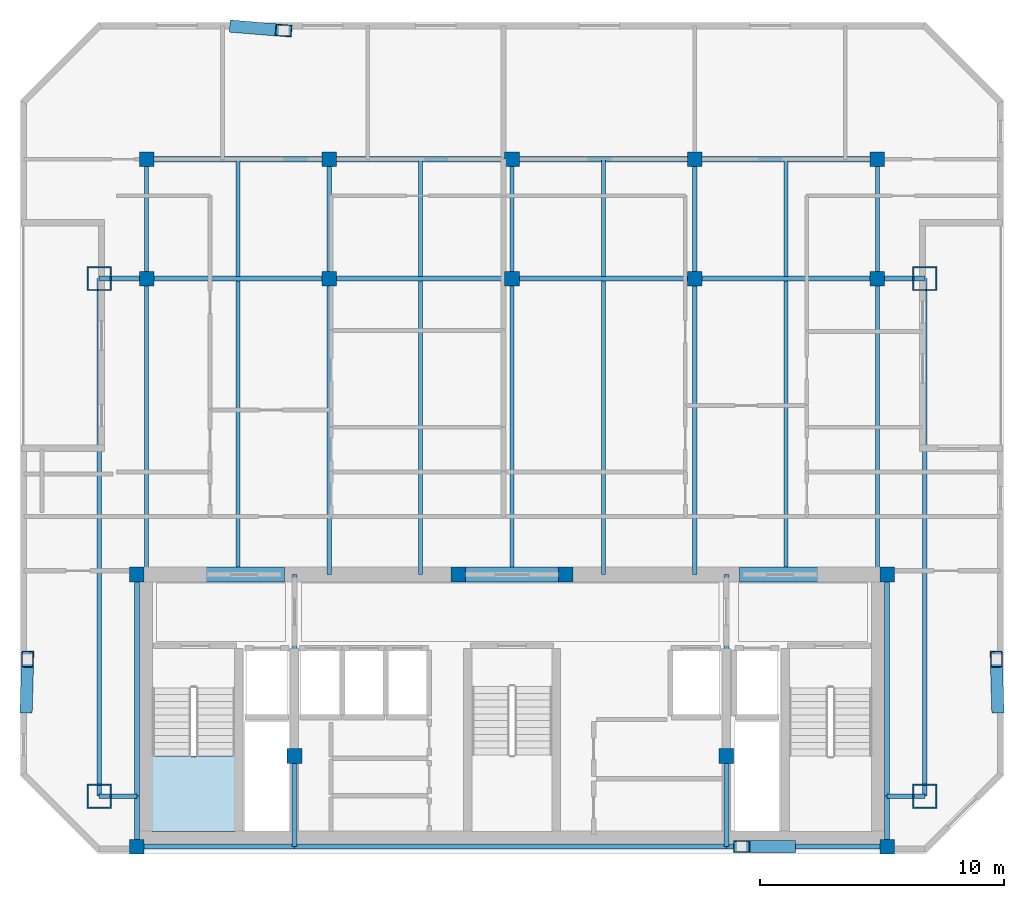
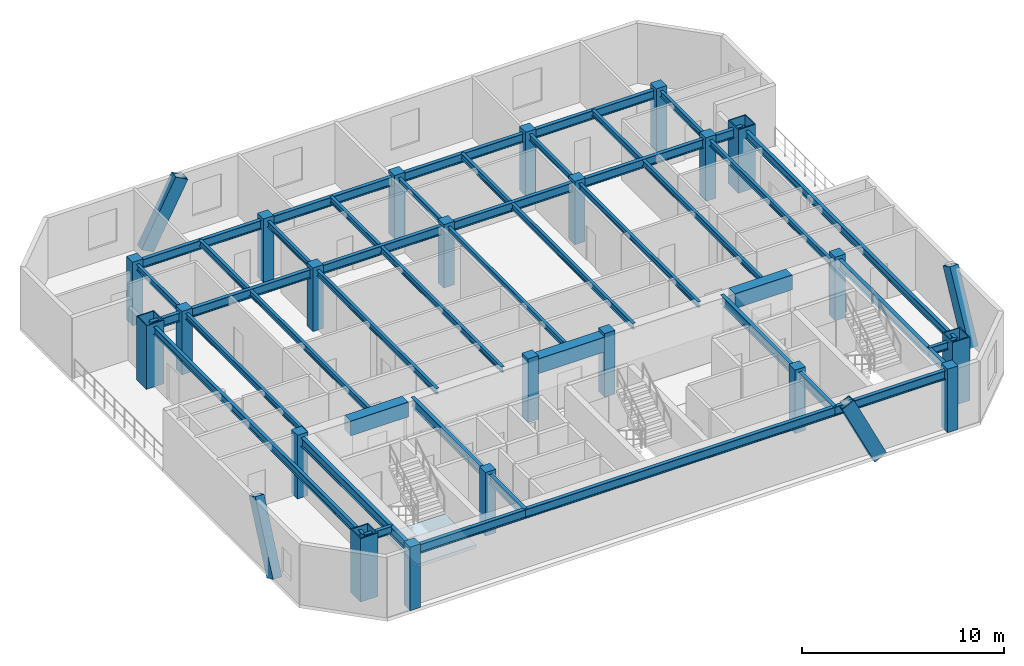
# One storey, part 1 of 7: 46 beams, 22 columns, 4 members, 1 slab, 1 element without a shape of its own.
"""IFC4 building model written with IfcOpenShell, lengths in metres."""

from ifc_helpers import new_model, si_unit, direction, frame, origin, origin_2d, place, context, subcontext, project, spatial, polyline, rectangle, hollow_rectangle, i_section, outline, extrude, material, layer, layer_set, material_profile, profile_set, type_object, element, aggregate, save


model = new_model("IFC4")

# Units and contexts
model_context = context("Model", 3, precision=1e-05, world=origin(), true_north=direction((0.0, 1.0)))
body_context = subcontext(model_context, "Body", "Model", "MODEL_VIEW")
ifc_project = project(units=[si_unit("LENGTHUNIT", "METRE"), si_unit("AREAUNIT", "SQUARE_METRE"), si_unit("VOLUMEUNIT", "CUBIC_METRE"), si_unit("PLANEANGLEUNIT", "RADIAN"), si_unit("MASSUNIT", "GRAM", prefix="KILO")], contexts=[model_context])

# Site, building, storey
site_placement = place(None, origin())
site = spatial("IfcSite", under=ifc_project, at=site_placement, CompositionType="ELEMENT")
building_placement = place(site_placement, origin())
building = spatial("IfcBuilding", under=site, at=building_placement, Name="Ventersveld Concourse Tower", CompositionType="ELEMENT")
storey_placement = place(building_placement, frame((0.0, 0.0, 292.60009765625)))
storey = spatial("IfcBuildingStorey", under=building, at=storey_placement, Name="L72", CompositionType="ELEMENT", Elevation=292.60009765625)

# Columns
ifc_material_1 = material(Name="Concrete C50/60", Category="concrete")
ifc_material_profile_1 = material_profile(ifc_material_1, rectangle(XDim=0.60009765625, YDim=0.60009765625, at=origin_2d()), Name="RC 600x600")
ifc_profile_set_1 = profile_set([ifc_material_profile_1], Name="Concrete C50/60")
column_type_1 = type_object("IfcColumnType", Name="COL-RC600", PredefinedType="COLUMN", material=ifc_profile_set_1)
for number, where, z_axis, x_axis, name in (
    (1, (13.35009765625, 0.280029296875, 0.0), (0.0, 0.0, 1.0), (1.0, 0.0, 0.0), "L72 Core Spine Column CC-SW"),
    (2, (44.14990234375, 0.280029296875, 0.0), (0.0, 0.0, 1.0), (1.0, 0.0, 0.0), "L72 Core Spine Column CC-SE"),
    (3, (13.35009765625, 11.449951171875, 0.0), (0.0, 0.0, 1.0), (1.0, 0.0, 0.0), "L72 Core Spine Column CC-NW"),
    (4, (44.14990234375, 11.449951171875, 0.0), (0.0, 0.0, 1.0), (1.0, 0.0, 0.0), "L72 Core Spine Column CC-NE"),
    (5, (19.820068359375, 4.0, 0.0), (0.0, 0.0, 1.0), (1.0, 0.0, 0.0), "L72 Core Spine Column CM-1"),
    (6, (37.550048828125, 4.0, 0.0), (0.0, 0.0, 1.0), (1.0, 0.0, 0.0), "L72 Core Spine Column CM-2"),
    (7, (26.550048828125, 11.449951171875, 0.0), (0.0, 0.0, 1.0), (1.0, 0.0, 0.0), "L72 Core Spine Column CM-3"),
    (8, (30.949951171875, 11.449951171875, 0.0), (0.0, 0.0, 1.0), (1.0, 0.0, 0.0), "L72 Core Spine Column CM-4"),
    (9, (13.75, 23.60009765625, 0.0), (0.0, 0.0, 1.0), (1.0, 0.0, 0.0), "L72 Interior Gravity Column X=13.75 Y=23.60"),
    (10, (21.25, 23.60009765625, 0.0), (0.0, 0.0, 1.0), (1.0, 0.0, 0.0), "L72 Interior Gravity Column X=21.25 Y=23.60"),
    (11, (28.75, 23.60009765625, 0.0), (0.0, 0.0, 1.0), (1.0, 0.0, 0.0), "L72 Interior Gravity Column X=28.75 Y=23.60"),
    (12, (36.25, 23.60009765625, 0.0), (0.0, 0.0, 1.0), (1.0, 0.0, 0.0), "L72 Interior Gravity Column X=36.25 Y=23.60"),
    (13, (43.75, 23.60009765625, 0.0), (0.0, 0.0, 1.0), (1.0, 0.0, 0.0), "L72 Interior Gravity Column X=43.75 Y=23.60"),
    (14, (13.75, 28.5, 0.0), (0.0, 0.0, 1.0), (1.0, 0.0, 0.0), "L72 Upper-North Gravity Column X=13.75 Y=28.50"),
    (15, (21.25, 28.5, 0.0), (0.0, 0.0, 1.0), (1.0, 0.0, 0.0), "L72 Upper-North Gravity Column X=21.25 Y=28.50"),
    (16, (28.75, 28.5, 0.0), (0.0, 0.0, 1.0), (1.0, 0.0, 0.0), "L72 Upper-North Gravity Column X=28.75 Y=28.50"),
    (17, (36.25, 28.5, 0.0), (0.0, 0.0, 1.0), (1.0, 0.0, 0.0), "L72 Upper-North Gravity Column X=36.25 Y=28.50"),
    (18, (43.75, 28.5, 0.0), (0.0, 0.0, 1.0), (1.0, 0.0, 0.0), "L72 Upper-North Gravity Column X=43.75 Y=28.50"),
):
    element("IfcColumn", number, at=place(storey_placement, frame(where, z_axis=z_axis, x_axis=x_axis)), inside=storey, type_object=column_type_1, Name=name, PredefinedType="COLUMN", context=body_context, shape_type="SweptSolid", body=[
        extrude(rectangle(XDim=0.60009765625, YDim=0.60009765625, at=origin_2d()), origin(), (0.0, 0.0, 1.0), 3.849853515625),
    ])
ifc_material_2 = material(Name="Structural steel S460ML", Category="steel")
ifc_material_profile_2 = material_profile(ifc_material_2, hollow_rectangle(XDim=1.0, YDim=1.0, WallThickness=0.06005859375, at=origin_2d()), Name="BOX 1000x1000x60")
ifc_profile_set_2 = profile_set([ifc_material_profile_2], Name="Structural steel S460ML")
column_type_2 = type_object("IfcColumnType", Name="MC-1000", PredefinedType="USERDEFINED", material=ifc_profile_set_2)
for number, where, z_axis, x_axis, name in (
    (19, (11.800048828125, 2.35009765625, 0.0), (0.0, 0.0, 1.0), (1.0, 0.0, 0.0), "L72 Corner Mega-Column MC-SW"),
    (20, (45.699951171875, 2.35009765625, 0.0), (0.0, 0.0, 1.0), (1.0, 0.0, 0.0), "L72 Corner Mega-Column MC-SE"),
    (21, (45.699951171875, 23.60009765625, 0.0), (0.0, 0.0, 1.0), (1.0, 0.0, 0.0), "L72 Corner Mega-Column MC-NE"),
    (22, (11.800048828125, 23.60009765625, 0.0), (0.0, 0.0, 1.0), (1.0, 0.0, 0.0), "L72 Corner Mega-Column MC-NW"),
):
    element("IfcColumn", number, at=place(storey_placement, frame(where, z_axis=z_axis, x_axis=x_axis)), inside=storey, type_object=column_type_2, Name=name, ObjectType="MEGA_COLUMN", PredefinedType="USERDEFINED", context=body_context, shape_type="SweptSolid", body=[
        extrude(hollow_rectangle(XDim=1.0, YDim=1.0, WallThickness=0.06005859375, at=origin_2d()), origin(), (0.0, 0.0, 1.0), 3.849853515625),
    ])

# Beams
ifc_material_3 = material(Name="Structural steel S355J2", Category="steel")
ifc_material_profile_3 = material_profile(ifc_material_3, i_section(OverallWidth=0.17138671875, OverallDepth=0.35498046875, WebThickness=0.00732421875, FlangeThickness=0.011474609375, FilletRadius=0.01025390625, at=origin_2d()), Name="UB 356x171x51")
ifc_profile_set_3 = profile_set([ifc_material_profile_3], Name="Structural steel S355J2")
beam_type_1 = type_object("IfcBeamType", Name="BM-UB356", PredefinedType="BEAM", material=ifc_profile_set_3)
beam_1_placement = place(storey_placement, frame((13.75, 11.449951171875, 3.472412109375), z_axis=(0.0, 1.0, 0.0), x_axis=(-1.0, 0.0, 0.0)))
element("IfcBeam", 23, at=beam_1_placement, inside=storey, type_object=beam_type_1, Name="L72 N-S Composite Floor Beam South X=13.75", PredefinedType="BEAM", context=body_context, shape_type="SweptSolid", body=[
    extrude(i_section(OverallWidth=0.17138671875, OverallDepth=0.35498046875, WebThickness=0.00732421875, FlangeThickness=0.011474609375, FilletRadius=0.01025390625, at=origin_2d()), origin(), (0.0, 0.0, 1.0), 12.150146484375),
])
beam_2_placement = place(storey_placement, frame((13.75, 23.60009765625, 3.472412109375), z_axis=(0.0, 1.0, 0.0), x_axis=(-1.0, 0.0, 0.0)))
element("IfcBeam", 24, at=beam_2_placement, inside=storey, type_object=beam_type_1, Name="L72 N-S Upper-Zone Floor Beam X=13.75", PredefinedType="BEAM", context=body_context, shape_type="SweptSolid", body=[
    extrude(i_section(OverallWidth=0.17138671875, OverallDepth=0.35498046875, WebThickness=0.00732421875, FlangeThickness=0.011474609375, FilletRadius=0.01025390625, at=origin_2d()), origin(), (0.0, 0.0, 1.0), 4.89990234375),
])
beam_3_placement = place(storey_placement, frame((17.5, 11.449951171875, 3.472412109375), z_axis=(0.0, 1.0, 0.0), x_axis=(-1.0, 0.0, 0.0)))
element("IfcBeam", 25, at=beam_3_placement, inside=storey, type_object=beam_type_1, Name="L72 N-S Composite Floor Beam South X=17.50", PredefinedType="BEAM", context=body_context, shape_type="SweptSolid", body=[
    extrude(i_section(OverallWidth=0.17138671875, OverallDepth=0.35498046875, WebThickness=0.00732421875, FlangeThickness=0.011474609375, FilletRadius=0.01025390625, at=origin_2d()), origin(), (0.0, 0.0, 1.0), 12.054931640625),
])
beam_4_placement = place(storey_placement, frame((17.5, 23.695068359375, 3.472412109375), z_axis=(0.0, 1.0, 0.0), x_axis=(-1.0, 0.0, 0.0)))
element("IfcBeam", 26, at=beam_4_placement, inside=storey, type_object=beam_type_1, Name="L72 N-S Upper-Zone Floor Beam X=17.50", PredefinedType="BEAM", context=body_context, shape_type="SweptSolid", body=[
    extrude(i_section(OverallWidth=0.17138671875, OverallDepth=0.35498046875, WebThickness=0.00732421875, FlangeThickness=0.011474609375, FilletRadius=0.01025390625, at=origin_2d()), origin(), (0.0, 0.0, 1.0), 4.804931640625),
])
beam_5_placement = place(storey_placement, frame((21.25, 11.449951171875, 3.472412109375), z_axis=(0.0, 1.0, 0.0), x_axis=(-1.0, 0.0, 0.0)))
element("IfcBeam", 27, at=beam_5_placement, inside=storey, type_object=beam_type_1, Name="L72 N-S Composite Floor Beam South X=21.25", PredefinedType="BEAM", context=body_context, shape_type="SweptSolid", body=[
    extrude(i_section(OverallWidth=0.17138671875, OverallDepth=0.35498046875, WebThickness=0.00732421875, FlangeThickness=0.011474609375, FilletRadius=0.01025390625, at=origin_2d()), origin(), (0.0, 0.0, 1.0), 12.150146484375),
])
beam_6_placement = place(storey_placement, frame((21.25, 23.60009765625, 3.472412109375), z_axis=(0.0, 1.0, 0.0), x_axis=(-1.0, 0.0, 0.0)))
element("IfcBeam", 28, at=beam_6_placement, inside=storey, type_object=beam_type_1, Name="L72 N-S Upper-Zone Floor Beam X=21.25", PredefinedType="BEAM", context=body_context, shape_type="SweptSolid", body=[
    extrude(i_section(OverallWidth=0.17138671875, OverallDepth=0.35498046875, WebThickness=0.00732421875, FlangeThickness=0.011474609375, FilletRadius=0.01025390625, at=origin_2d()), origin(), (0.0, 0.0, 1.0), 4.89990234375),
])
beam_7_placement = place(storey_placement, frame((25.0, 11.449951171875, 3.472412109375), z_axis=(0.0, 1.0, 0.0), x_axis=(-1.0, 0.0, 0.0)))
element("IfcBeam", 29, at=beam_7_placement, inside=storey, type_object=beam_type_1, Name="L72 N-S Composite Floor Beam South X=25.00", PredefinedType="BEAM", context=body_context, shape_type="SweptSolid", body=[
    extrude(i_section(OverallWidth=0.17138671875, OverallDepth=0.35498046875, WebThickness=0.00732421875, FlangeThickness=0.011474609375, FilletRadius=0.01025390625, at=origin_2d()), origin(), (0.0, 0.0, 1.0), 12.054931640625),
])
beam_8_placement = place(storey_placement, frame((25.0, 23.695068359375, 3.472412109375), z_axis=(0.0, 1.0, 0.0), x_axis=(-1.0, 0.0, 0.0)))
element("IfcBeam", 30, at=beam_8_placement, inside=storey, type_object=beam_type_1, Name="L72 N-S Upper-Zone Floor Beam X=25.00", PredefinedType="BEAM", context=body_context, shape_type="SweptSolid", body=[
    extrude(i_section(OverallWidth=0.17138671875, OverallDepth=0.35498046875, WebThickness=0.00732421875, FlangeThickness=0.011474609375, FilletRadius=0.01025390625, at=origin_2d()), origin(), (0.0, 0.0, 1.0), 4.804931640625),
])
beam_9_placement = place(storey_placement, frame((28.75, 11.449951171875, 3.472412109375), z_axis=(0.0, 1.0, 0.0), x_axis=(-1.0, 0.0, 0.0)))
element("IfcBeam", 31, at=beam_9_placement, inside=storey, type_object=beam_type_1, Name="L72 N-S Composite Floor Beam South X=28.75", PredefinedType="BEAM", context=body_context, shape_type="SweptSolid", body=[
    extrude(i_section(OverallWidth=0.17138671875, OverallDepth=0.35498046875, WebThickness=0.00732421875, FlangeThickness=0.011474609375, FilletRadius=0.01025390625, at=origin_2d()), origin(), (0.0, 0.0, 1.0), 12.150146484375),
])
beam_10_placement = place(storey_placement, frame((28.75, 23.60009765625, 3.472412109375), z_axis=(0.0, 1.0, 0.0), x_axis=(-1.0, 0.0, 0.0)))
element("IfcBeam", 32, at=beam_10_placement, inside=storey, type_object=beam_type_1, Name="L72 N-S Upper-Zone Floor Beam X=28.75", PredefinedType="BEAM", context=body_context, shape_type="SweptSolid", body=[
    extrude(i_section(OverallWidth=0.17138671875, OverallDepth=0.35498046875, WebThickness=0.00732421875, FlangeThickness=0.011474609375, FilletRadius=0.01025390625, at=origin_2d()), origin(), (0.0, 0.0, 1.0), 4.89990234375),
])
beam_11_placement = place(storey_placement, frame((32.5, 11.449951171875, 3.472412109375), z_axis=(0.0, 1.0, 0.0), x_axis=(-1.0, 0.0, 0.0)))
element("IfcBeam", 33, at=beam_11_placement, inside=storey, type_object=beam_type_1, Name="L72 N-S Composite Floor Beam South X=32.50", PredefinedType="BEAM", context=body_context, shape_type="SweptSolid", body=[
    extrude(i_section(OverallWidth=0.17138671875, OverallDepth=0.35498046875, WebThickness=0.00732421875, FlangeThickness=0.011474609375, FilletRadius=0.01025390625, at=origin_2d()), origin(), (0.0, 0.0, 1.0), 12.054931640625),
])
beam_12_placement = place(storey_placement, frame((32.5, 23.695068359375, 3.472412109375), z_axis=(0.0, 1.0, 0.0), x_axis=(-1.0, 0.0, 0.0)))
element("IfcBeam", 34, at=beam_12_placement, inside=storey, type_object=beam_type_1, Name="L72 N-S Upper-Zone Floor Beam X=32.50", PredefinedType="BEAM", context=body_context, shape_type="SweptSolid", body=[
    extrude(i_section(OverallWidth=0.17138671875, OverallDepth=0.35498046875, WebThickness=0.00732421875, FlangeThickness=0.011474609375, FilletRadius=0.01025390625, at=origin_2d()), origin(), (0.0, 0.0, 1.0), 4.804931640625),
])
beam_13_placement = place(storey_placement, frame((36.25, 11.449951171875, 3.472412109375), z_axis=(0.0, 1.0, 0.0), x_axis=(-1.0, 0.0, 0.0)))
element("IfcBeam", 35, at=beam_13_placement, inside=storey, type_object=beam_type_1, Name="L72 N-S Composite Floor Beam South X=36.25", PredefinedType="BEAM", context=body_context, shape_type="SweptSolid", body=[
    extrude(i_section(OverallWidth=0.17138671875, OverallDepth=0.35498046875, WebThickness=0.00732421875, FlangeThickness=0.011474609375, FilletRadius=0.01025390625, at=origin_2d()), origin(), (0.0, 0.0, 1.0), 12.150146484375),
])
beam_14_placement = place(storey_placement, frame((36.25, 23.60009765625, 3.472412109375), z_axis=(0.0, 1.0, 0.0), x_axis=(-1.0, 0.0, 0.0)))
element("IfcBeam", 36, at=beam_14_placement, inside=storey, type_object=beam_type_1, Name="L72 N-S Upper-Zone Floor Beam X=36.25", PredefinedType="BEAM", context=body_context, shape_type="SweptSolid", body=[
    extrude(i_section(OverallWidth=0.17138671875, OverallDepth=0.35498046875, WebThickness=0.00732421875, FlangeThickness=0.011474609375, FilletRadius=0.01025390625, at=origin_2d()), origin(), (0.0, 0.0, 1.0), 4.89990234375),
])
beam_15_placement = place(storey_placement, frame((40.0, 11.449951171875, 3.472412109375), z_axis=(0.0, 1.0, 0.0), x_axis=(-1.0, 0.0, 0.0)))
element("IfcBeam", 37, at=beam_15_placement, inside=storey, type_object=beam_type_1, Name="L72 N-S Composite Floor Beam South X=40.00", PredefinedType="BEAM", context=body_context, shape_type="SweptSolid", body=[
    extrude(i_section(OverallWidth=0.17138671875, OverallDepth=0.35498046875, WebThickness=0.00732421875, FlangeThickness=0.011474609375, FilletRadius=0.01025390625, at=origin_2d()), origin(), (0.0, 0.0, 1.0), 12.054931640625),
])
beam_16_placement = place(storey_placement, frame((40.0, 23.695068359375, 3.472412109375), z_axis=(0.0, 1.0, 0.0), x_axis=(-1.0, 0.0, 0.0)))
element("IfcBeam", 38, at=beam_16_placement, inside=storey, type_object=beam_type_1, Name="L72 N-S Upper-Zone Floor Beam X=40.00", PredefinedType="BEAM", context=body_context, shape_type="SweptSolid", body=[
    extrude(i_section(OverallWidth=0.17138671875, OverallDepth=0.35498046875, WebThickness=0.00732421875, FlangeThickness=0.011474609375, FilletRadius=0.01025390625, at=origin_2d()), origin(), (0.0, 0.0, 1.0), 4.804931640625),
])
beam_17_placement = place(storey_placement, frame((43.75, 11.449951171875, 3.472412109375), z_axis=(0.0, 1.0, 0.0), x_axis=(-1.0, 0.0, 0.0)))
element("IfcBeam", 39, at=beam_17_placement, inside=storey, type_object=beam_type_1, Name="L72 N-S Composite Floor Beam South X=43.75", PredefinedType="BEAM", context=body_context, shape_type="SweptSolid", body=[
    extrude(i_section(OverallWidth=0.17138671875, OverallDepth=0.35498046875, WebThickness=0.00732421875, FlangeThickness=0.011474609375, FilletRadius=0.01025390625, at=origin_2d()), origin(), (0.0, 0.0, 1.0), 12.150146484375),
])
beam_18_placement = place(storey_placement, frame((43.75, 23.60009765625, 3.472412109375), z_axis=(0.0, 1.0, 0.0), x_axis=(-1.0, 0.0, 0.0)))
element("IfcBeam", 40, at=beam_18_placement, inside=storey, type_object=beam_type_1, Name="L72 N-S Upper-Zone Floor Beam X=43.75", PredefinedType="BEAM", context=body_context, shape_type="SweptSolid", body=[
    extrude(i_section(OverallWidth=0.17138671875, OverallDepth=0.35498046875, WebThickness=0.00732421875, FlangeThickness=0.011474609375, FilletRadius=0.01025390625, at=origin_2d()), origin(), (0.0, 0.0, 1.0), 4.89990234375),
])
ifc_material_profile_4 = material_profile(ifc_material_1, rectangle(XDim=0.60009765625, YDim=0.89990234375, at=origin_2d()), Name="RC 600x900")
ifc_profile_set_4 = profile_set([ifc_material_profile_4], Name="Concrete C50/60")
beam_type_2 = type_object("IfcBeamType", Name="CB-RC600x900U", PredefinedType="LINTEL", material=ifc_profile_set_4)
beam_19_placement = place(storey_placement, frame((16.10009765625, 11.449951171875, 3.199951171875), z_axis=(1.0, 0.0, 0.0), x_axis=(0.0, 1.0, 0.0)))
element("IfcBeam", 41, at=beam_19_placement, inside=storey, type_object=beam_type_2, Name="L72 Core Coupling Lintel Beam 1", PredefinedType="LINTEL", context=body_context, shape_type="SweptSolid", body=[
    extrude(rectangle(XDim=0.60009765625, YDim=0.89990234375, at=origin_2d()), origin(), (0.0, 0.0, 1.0), 3.2998046875),
])
beam_20_placement = place(storey_placement, frame((26.5, 11.449951171875, 3.199951171875), z_axis=(1.0, 0.0, 0.0), x_axis=(0.0, 1.0, 0.0)))
element("IfcBeam", 42, at=beam_20_placement, inside=storey, type_object=beam_type_2, Name="L72 Core Coupling Lintel Beam 2", PredefinedType="LINTEL", context=body_context, shape_type="SweptSolid", body=[
    extrude(rectangle(XDim=0.60009765625, YDim=0.89990234375, at=origin_2d()), origin(), (0.0, 0.0, 1.0), 4.5),
])
beam_21_placement = place(storey_placement, frame((38.10009765625, 11.449951171875, 3.199951171875), z_axis=(1.0, 0.0, 0.0), x_axis=(0.0, 1.0, 0.0)))
element("IfcBeam", 43, at=beam_21_placement, inside=storey, type_object=beam_type_2, Name="L72 Core Coupling Lintel Beam 3", PredefinedType="LINTEL", context=body_context, shape_type="SweptSolid", body=[
    extrude(rectangle(XDim=0.60009765625, YDim=0.89990234375, at=origin_2d()), origin(), (0.0, 0.0, 1.0), 3.2998046875),
])
ifc_material_profile_5 = material_profile(ifc_material_3, i_section(OverallWidth=0.209228515625, OverallDepth=0.533203125, WebThickness=0.010009765625, FlangeThickness=0.015625, FilletRadius=0.0126953125, at=origin_2d()), Name="UB 533x210x92")
ifc_profile_set_5 = profile_set([ifc_material_profile_5], Name="Structural steel S355J2")
beam_type_3 = type_object("IfcBeamType", Name="GRD-UB533", PredefinedType="T_BEAM", material=ifc_profile_set_5)
beam_22_placement = place(storey_placement, frame((11.800048828125, 23.60009765625, 3.38330078125), z_axis=(1.0, 0.0, 0.0), x_axis=(0.0, 1.0, 0.0)))
element("IfcBeam", 44, at=beam_22_placement, inside=storey, type_object=beam_type_3, Name="L72 Primary E-W Grid Girder Y=23.60 #1", PredefinedType="T_BEAM", context=body_context, shape_type="SweptSolid", body=[
    extrude(i_section(OverallWidth=0.209228515625, OverallDepth=0.533203125, WebThickness=0.010009765625, FlangeThickness=0.015625, FilletRadius=0.0126953125, at=origin_2d()), origin(), (0.0, 0.0, 1.0), 1.949951171875),
])
for number, where, z_axis, x_axis, name in (
    (45, (13.75, 23.60009765625, 3.38330078125), (1.0, 0.0, 0.0), (0.0, 1.0, 0.0), "L72 Primary E-W Grid Girder Y=23.60 #2"),
    (46, (21.25, 23.60009765625, 3.38330078125), (1.0, 0.0, 0.0), (0.0, 1.0, 0.0), "L72 Primary E-W Grid Girder Y=23.60 #3"),
    (47, (28.75, 23.60009765625, 3.38330078125), (1.0, 0.0, 0.0), (0.0, 1.0, 0.0), "L72 Primary E-W Grid Girder Y=23.60 #4"),
    (48, (36.25, 23.60009765625, 3.38330078125), (1.0, 0.0, 0.0), (0.0, 1.0, 0.0), "L72 Primary E-W Grid Girder Y=23.60 #5"),
):
    element("IfcBeam", number, at=place(storey_placement, frame(where, z_axis=z_axis, x_axis=x_axis)), inside=storey, type_object=beam_type_3, Name=name, PredefinedType="T_BEAM", context=body_context, shape_type="SweptSolid", body=[
        extrude(i_section(OverallWidth=0.209228515625, OverallDepth=0.533203125, WebThickness=0.010009765625, FlangeThickness=0.015625, FilletRadius=0.0126953125, at=origin_2d()), origin(), (0.0, 0.0, 1.0), 7.5),
    ])
beam_23_placement = place(storey_placement, frame((43.75, 23.60009765625, 3.38330078125), z_axis=(1.0, 0.0, 0.0), x_axis=(0.0, 1.0, 0.0)))
element("IfcBeam", 49, at=beam_23_placement, inside=storey, type_object=beam_type_3, Name="L72 Primary E-W Grid Girder Y=23.60 #6", PredefinedType="T_BEAM", context=body_context, shape_type="SweptSolid", body=[
    extrude(i_section(OverallWidth=0.209228515625, OverallDepth=0.533203125, WebThickness=0.010009765625, FlangeThickness=0.015625, FilletRadius=0.0126953125, at=origin_2d()), origin(), (0.0, 0.0, 1.0), 1.949951171875),
])
for number, where, z_axis, x_axis, name in (
    (50, (13.75, 28.5, 3.38330078125), (1.0, 0.0, 0.0), (0.0, 1.0, 0.0), "L72 Upper-North E-W Girder Y=28.50 #1"),
    (51, (21.25, 28.5, 3.38330078125), (1.0, 0.0, 0.0), (0.0, 1.0, 0.0), "L72 Upper-North E-W Girder Y=28.50 #2"),
    (52, (28.75, 28.5, 3.38330078125), (1.0, 0.0, 0.0), (0.0, 1.0, 0.0), "L72 Upper-North E-W Girder Y=28.50 #3"),
    (53, (36.25, 28.5, 3.38330078125), (1.0, 0.0, 0.0), (0.0, 1.0, 0.0), "L72 Upper-North E-W Girder Y=28.50 #4"),
):
    element("IfcBeam", number, at=place(storey_placement, frame(where, z_axis=z_axis, x_axis=x_axis)), inside=storey, type_object=beam_type_3, Name=name, PredefinedType="T_BEAM", context=body_context, shape_type="SweptSolid", body=[
        extrude(i_section(OverallWidth=0.209228515625, OverallDepth=0.533203125, WebThickness=0.010009765625, FlangeThickness=0.015625, FilletRadius=0.0126953125, at=origin_2d()), origin(), (0.0, 0.0, 1.0), 7.5),
    ])
ifc_material_profile_6 = material_profile(ifc_material_3, i_section(OverallWidth=0.2119140625, OverallDepth=0.54443359375, WebThickness=0.0126953125, FlangeThickness=0.021240234375, FilletRadius=0.0126953125, at=origin_2d()), Name="UB 533x210x122")
ifc_profile_set_6 = profile_set([ifc_material_profile_6], Name="Structural steel S355J2")
beam_type_4 = type_object("IfcBeamType", Name="GRD-UB533H", PredefinedType="T_BEAM", material=ifc_profile_set_6)
beam_24_placement = place(storey_placement, frame((13.35009765625, 0.280029296875, 3.377685546875), z_axis=(0.0, 1.0, 0.0), x_axis=(-1.0, 0.0, 0.0)))
element("IfcBeam", 54, at=beam_24_placement, inside=storey, type_object=beam_type_4, Name="L72 Core West Tie Beam S", PredefinedType="T_BEAM", context=body_context, shape_type="SweptSolid", body=[
    extrude(i_section(OverallWidth=0.2119140625, OverallDepth=0.54443359375, WebThickness=0.0126953125, FlangeThickness=0.021240234375, FilletRadius=0.0126953125, at=origin_2d()), origin(), (0.0, 0.0, 1.0), 2.070068359375),
])
beam_25_placement = place(storey_placement, frame((13.35009765625, 2.35009765625, 3.377685546875), z_axis=(0.0, 1.0, 0.0), x_axis=(-1.0, 0.0, 0.0)))
element("IfcBeam", 55, at=beam_25_placement, inside=storey, type_object=beam_type_4, Name="L72 Core West Tie Beam N", PredefinedType="T_BEAM", context=body_context, shape_type="SweptSolid", body=[
    extrude(i_section(OverallWidth=0.2119140625, OverallDepth=0.54443359375, WebThickness=0.0126953125, FlangeThickness=0.021240234375, FilletRadius=0.0126953125, at=origin_2d()), origin(), (0.0, 0.0, 1.0), 9.099853515625),
])
beam_26_placement = place(storey_placement, frame((44.14990234375, 0.280029296875, 3.377685546875), z_axis=(0.0, 1.0, 0.0), x_axis=(-1.0, 0.0, 0.0)))
element("IfcBeam", 56, at=beam_26_placement, inside=storey, type_object=beam_type_4, Name="L72 Core East Tie Beam S", PredefinedType="T_BEAM", context=body_context, shape_type="SweptSolid", body=[
    extrude(i_section(OverallWidth=0.2119140625, OverallDepth=0.54443359375, WebThickness=0.0126953125, FlangeThickness=0.021240234375, FilletRadius=0.0126953125, at=origin_2d()), origin(), (0.0, 0.0, 1.0), 2.070068359375),
])
beam_27_placement = place(storey_placement, frame((44.14990234375, 2.35009765625, 3.377685546875), z_axis=(0.0, 1.0, 0.0), x_axis=(-1.0, 0.0, 0.0)))
element("IfcBeam", 57, at=beam_27_placement, inside=storey, type_object=beam_type_4, Name="L72 Core East Tie Beam N", PredefinedType="T_BEAM", context=body_context, shape_type="SweptSolid", body=[
    extrude(i_section(OverallWidth=0.2119140625, OverallDepth=0.54443359375, WebThickness=0.0126953125, FlangeThickness=0.021240234375, FilletRadius=0.0126953125, at=origin_2d()), origin(), (0.0, 0.0, 1.0), 9.099853515625),
])
beam_28_placement = place(storey_placement, frame((13.35009765625, 0.280029296875, 3.377685546875), z_axis=(1.0, 0.0, 0.0), x_axis=(0.0, 1.0, 0.0)))
element("IfcBeam", 58, at=beam_28_placement, inside=storey, type_object=beam_type_4, Name="L72 Core South Tie Beam W", PredefinedType="T_BEAM", context=body_context, shape_type="SweptSolid", body=[
    extrude(i_section(OverallWidth=0.2119140625, OverallDepth=0.54443359375, WebThickness=0.0126953125, FlangeThickness=0.021240234375, FilletRadius=0.0126953125, at=origin_2d()), origin(), (0.0, 0.0, 1.0), 6.469970703125),
])
beam_29_placement = place(storey_placement, frame((19.820068359375, 0.280029296875, 3.377685546875), z_axis=(1.0, 0.0, 0.0), x_axis=(0.0, 1.0, 0.0)))
element("IfcBeam", 59, at=beam_29_placement, inside=storey, type_object=beam_type_4, Name="L72 Core South Tie Beam C", PredefinedType="T_BEAM", context=body_context, shape_type="SweptSolid", body=[
    extrude(i_section(OverallWidth=0.2119140625, OverallDepth=0.54443359375, WebThickness=0.0126953125, FlangeThickness=0.021240234375, FilletRadius=0.0126953125, at=origin_2d()), origin(), (0.0, 0.0, 1.0), 17.72998046875),
])
beam_30_placement = place(storey_placement, frame((37.550048828125, 0.280029296875, 3.377685546875), z_axis=(1.0, 0.0, 0.0), x_axis=(0.0, 1.0, 0.0)))
element("IfcBeam", 60, at=beam_30_placement, inside=storey, type_object=beam_type_4, Name="L72 Core South Tie Beam E", PredefinedType="T_BEAM", context=body_context, shape_type="SweptSolid", body=[
    extrude(i_section(OverallWidth=0.2119140625, OverallDepth=0.54443359375, WebThickness=0.0126953125, FlangeThickness=0.021240234375, FilletRadius=0.0126953125, at=origin_2d()), origin(), (0.0, 0.0, 1.0), 6.599853515625),
])
beam_31_placement = place(storey_placement, frame((19.820068359375, 0.280029296875, 3.377685546875), z_axis=(0.0, 1.0, 0.0), x_axis=(-1.0, 0.0, 0.0)))
element("IfcBeam", 61, at=beam_31_placement, inside=storey, type_object=beam_type_4, Name="L72 Core Spine N-S Tie Beam W1", PredefinedType="T_BEAM", context=body_context, shape_type="SweptSolid", body=[
    extrude(i_section(OverallWidth=0.2119140625, OverallDepth=0.54443359375, WebThickness=0.0126953125, FlangeThickness=0.021240234375, FilletRadius=0.0126953125, at=origin_2d()), origin(), (0.0, 0.0, 1.0), 3.719970703125),
])
beam_32_placement = place(storey_placement, frame((19.820068359375, 4.0, 3.377685546875), z_axis=(0.0, 1.0, 0.0), x_axis=(-1.0, 0.0, 0.0)))
element("IfcBeam", 62, at=beam_32_placement, inside=storey, type_object=beam_type_4, Name="L72 Core Spine N-S Tie Beam W2", PredefinedType="T_BEAM", context=body_context, shape_type="SweptSolid", body=[
    extrude(i_section(OverallWidth=0.2119140625, OverallDepth=0.54443359375, WebThickness=0.0126953125, FlangeThickness=0.021240234375, FilletRadius=0.0126953125, at=origin_2d()), origin(), (0.0, 0.0, 1.0), 7.449951171875),
])
beam_33_placement = place(storey_placement, frame((37.550048828125, 0.280029296875, 3.377685546875), z_axis=(0.0, 1.0, 0.0), x_axis=(-1.0, 0.0, 0.0)))
element("IfcBeam", 63, at=beam_33_placement, inside=storey, type_object=beam_type_4, Name="L72 Core Spine N-S Tie Beam E1", PredefinedType="T_BEAM", context=body_context, shape_type="SweptSolid", body=[
    extrude(i_section(OverallWidth=0.2119140625, OverallDepth=0.54443359375, WebThickness=0.0126953125, FlangeThickness=0.021240234375, FilletRadius=0.0126953125, at=origin_2d()), origin(), (0.0, 0.0, 1.0), 3.719970703125),
])
beam_34_placement = place(storey_placement, frame((37.550048828125, 4.0, 3.377685546875), z_axis=(0.0, 1.0, 0.0), x_axis=(-1.0, 0.0, 0.0)))
element("IfcBeam", 64, at=beam_34_placement, inside=storey, type_object=beam_type_4, Name="L72 Core Spine N-S Tie Beam E2", PredefinedType="T_BEAM", context=body_context, shape_type="SweptSolid", body=[
    extrude(i_section(OverallWidth=0.2119140625, OverallDepth=0.54443359375, WebThickness=0.0126953125, FlangeThickness=0.021240234375, FilletRadius=0.0126953125, at=origin_2d()), origin(), (0.0, 0.0, 1.0), 7.449951171875),
])

# Members
ifc_material_4 = material(Name="Structural steel S355ML", Category="steel")
ifc_material_profile_7 = material_profile(ifc_material_4, hollow_rectangle(XDim=0.5, YDim=0.75, WallThickness=0.034912109375, at=origin_2d()), Name="BOX 750x500x35")
ifc_profile_set_7 = profile_set([ifc_material_profile_7], Name="Structural steel S355ML")
member_type = type_object("IfcMemberType", Name="MB-750x500", PredefinedType="BRACE", material=ifc_profile_set_7)
member_1_placement = place(storey_placement, frame((17.5, 33.9384765625, -0.2001953125), z_axis=(0.437555539064, -0.036007174569, 0.898470162896), x_axis=(0.082014437678, 0.996631141402, 0.0)))
element("IfcMember", 65, at=member_1_placement, inside=storey, type_object=member_type, Name="L72 Exterior Mega-Brace N (Module M17)", PredefinedType="BRACE", context=body_context, shape_type="SweptSolid", body=[
    extrude(hollow_rectangle(XDim=0.5, YDim=0.75, WallThickness=0.034912109375, at=origin_2d()), origin(), (0.0, 0.0, 1.0), 4.28515625),
])
member_2_placement = place(storey_placement, frame((40.050048828125, 0.280029296875, -0.2001953125), z_axis=(-0.437839464193, 0.0, 0.899053170616), x_axis=(0.0, -1.0, 0.0)))
element("IfcMember", 66, at=member_2_placement, inside=storey, type_object=member_type, Name="L72 Exterior Mega-Brace S (Module M17)", PredefinedType="BRACE", context=body_context, shape_type="SweptSolid", body=[
    extrude(hollow_rectangle(XDim=0.5, YDim=0.75, WallThickness=0.034912109375, at=origin_2d()), origin(), (0.0, 0.0, 1.0), 4.282470703125),
])
for number, where, z_axis, x_axis, name in (
    (67, (8.810791015625, 6.10009765625, -0.2001953125), (0.012484292972, 0.437805342566, 0.898983105764), (-0.999593677347, 0.028504038456, 0.0), "L72 Exterior Mega-Brace W (Module M17)"),
    (68, (48.689208984375, 6.10009765625, -0.2001953125), (-0.012484292972, 0.437805342566, 0.898983105764), (-0.999593677347, -0.028504038456, 0.0), "L72 Exterior Mega-Brace E (Module M17)"),
):
    element("IfcMember", number, at=place(storey_placement, frame(where, z_axis=z_axis, x_axis=x_axis)), inside=storey, type_object=member_type, Name=name, PredefinedType="BRACE", context=body_context, shape_type="SweptSolid", body=[
        extrude(hollow_rectangle(XDim=0.5, YDim=0.75, WallThickness=0.034912109375, at=origin_2d()), origin(), (0.0, 0.0, 1.0), 4.28271484375),
    ])

# Beams
ifc_material_profile_8 = material_profile(ifc_material_3, i_section(OverallWidth=0.19140625, OverallDepth=0.4599609375, WebThickness=0.010009765625, FlangeThickness=0.01611328125, FilletRadius=0.01025390625, at=origin_2d()), Name="UB 457x191x82")
ifc_profile_set_8 = profile_set([ifc_material_profile_8], Name="Structural steel S355J2")
beam_type_5 = type_object("IfcBeamType", Name="SPD-UB457", PredefinedType="SPANDREL", material=ifc_profile_set_8)
for number, where, z_axis, x_axis, name in (
    (69, (11.800048828125, 2.35009765625, 3.419921875), (1.0, 0.0, 0.0), (0.0, 1.0, 0.0), "L72 SW Spandrel Beam"),
    (70, (44.14990234375, 2.35009765625, 3.419921875), (1.0, 0.0, 0.0), (0.0, 1.0, 0.0), "L72 SE Spandrel Beam"),
):
    element("IfcBeam", number, at=place(storey_placement, frame(where, z_axis=z_axis, x_axis=x_axis)), inside=storey, type_object=beam_type_5, Name=name, PredefinedType="SPANDREL", context=body_context, shape_type="SweptSolid", body=[
        extrude(i_section(OverallWidth=0.19140625, OverallDepth=0.4599609375, WebThickness=0.010009765625, FlangeThickness=0.01611328125, FilletRadius=0.01025390625, at=origin_2d()), origin(), (0.0, 0.0, 1.0), 1.550048828125),
    ])
for number, where, z_axis, x_axis, name in (
    (71, (11.800048828125, 2.35009765625, 3.419921875), (0.0, 1.0, 0.0), (-1.0, 0.0, 0.0), "L72 West Spandrel Beam"),
    (72, (45.699951171875, 2.35009765625, 3.419921875), (0.0, 1.0, 0.0), (-1.0, 0.0, 0.0), "L72 East Spandrel Beam"),
):
    element("IfcBeam", number, at=place(storey_placement, frame(where, z_axis=z_axis, x_axis=x_axis)), inside=storey, type_object=beam_type_5, Name=name, PredefinedType="SPANDREL", context=body_context, shape_type="SweptSolid", body=[
        extrude(i_section(OverallWidth=0.19140625, OverallDepth=0.4599609375, WebThickness=0.010009765625, FlangeThickness=0.01611328125, FilletRadius=0.01025390625, at=origin_2d()), origin(), (0.0, 0.0, 1.0), 21.25),
    ])

# Stair, slab
stair_type = type_object("IfcStairType", Name="ST-DOG-160", PredefinedType="HALF_TURN_STAIR", material=ifc_material_1)
stair_placement = place(storey_placement, origin())
stair = element("IfcStair", 73, at=stair_placement, inside=storey, type_object=stair_type, Name="L72 Protected Tower Escape Stair ST-01", PredefinedType="HALF_TURN_STAIR")
ifc_layer = layer(ifc_material_1, 0.199951171875)
ifc_layer_set = layer_set([ifc_layer], Name="Concrete C50/60")
slab_type = type_object("IfcSlabType", Name="SL-LND-200", PredefinedType="LANDING", material=ifc_layer_set)
slab_placement = place(storey_placement, frame((0.0, 0.0, 1.724853515625)))
slab = element("IfcSlab", 74, at=slab_placement, type_object=slab_type, Name="ST-01 landing 1", PredefinedType="LANDING", context=body_context, shape_type="SweptSolid", body=[
    extrude(outline(polyline([(13.97998046875, 4.0), (13.97998046875, 0.89990234375), (17.3798828125, 0.89990234375), (17.3798828125, 4.0), (13.97998046875, 4.0)])), origin(), (0.0, 0.0, 1.0), 0.199951171875),
])
aggregate(stair, [slab])

save(model, "model.ifc")
